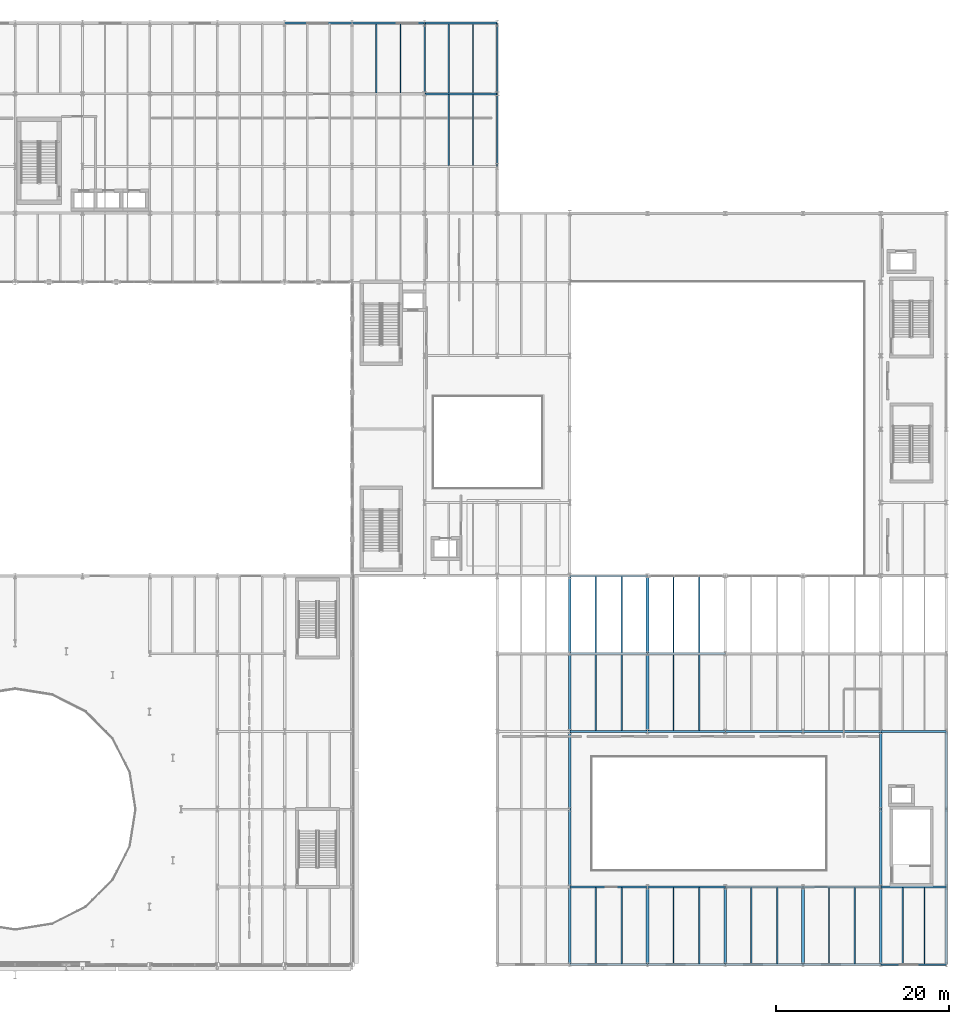
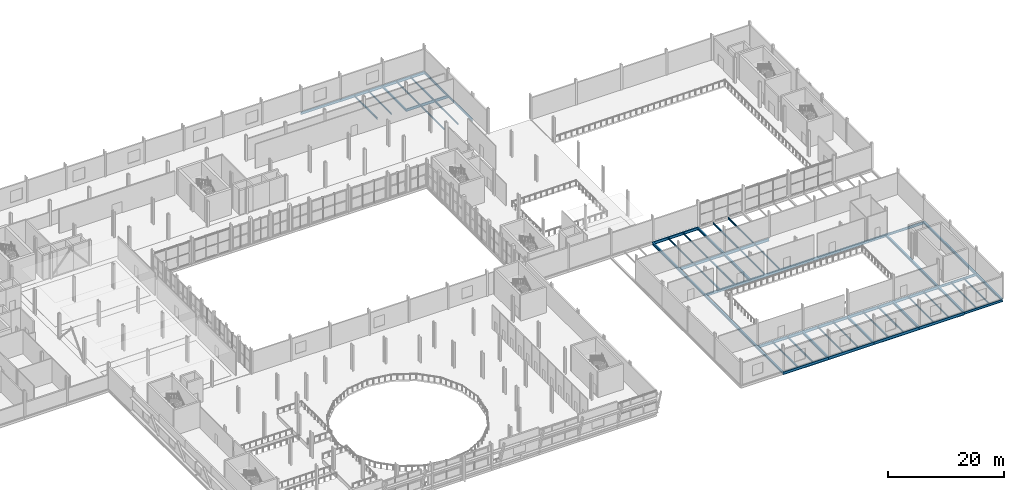
# One storey, part 34 of 78: 65 beams.
"""IFC4 building model written with IfcOpenShell, lengths in metres."""

from ifc_helpers import new_model, si_unit, direction, frame, origin, origin_2d, place, context, subcontext, project, spatial, i_section, extrude, material, material_profile, profile_set, type_object, element, save


model = new_model("IFC4")

# Units and contexts
model_context = context("Model", 3, precision=1e-05, world=origin(), true_north=direction((0.0, 1.0)))
body_context = subcontext(model_context, "Body", "Model", "MODEL_VIEW")
ifc_project = project(units=[si_unit("LENGTHUNIT", "METRE"), si_unit("AREAUNIT", "SQUARE_METRE"), si_unit("VOLUMEUNIT", "CUBIC_METRE"), si_unit("PLANEANGLEUNIT", "RADIAN"), si_unit("MASSUNIT", "GRAM", prefix="KILO")], contexts=[model_context])

# Site, building, storey
site_placement = place(None, origin())
site = spatial("IfcSite", under=ifc_project, at=site_placement, CompositionType="ELEMENT")
building_placement = place(site_placement, origin())
building = spatial("IfcBuilding", under=site, at=building_placement, Name="Sefraquen Railside Congress Hotel", CompositionType="ELEMENT")
storey_placement = place(building_placement, frame((0.0, 0.0, 6.0)))
storey = spatial("IfcBuildingStorey", under=building, at=storey_placement, Name="L01", CompositionType="ELEMENT", Elevation=6.0)

# Beams
ifc_material = material(Name="Steel S355JR", Category="steel")
ifc_material_profile_1 = material_profile(ifc_material, i_section(OverallWidth=0.18994140625, OverallDepth=0.449951171875, WebThickness=0.009521484375, FlangeThickness=0.0146484375, FilletRadius=0.02099609375, at=origin_2d()), Name="IPE 450")
ifc_profile_set_1 = profile_set([ifc_material_profile_1], Name="Steel S355JR")
beam_type_1 = type_object("IfcBeamType", Name="TB-BM-450", PredefinedType="BEAM", material=ifc_profile_set_1)
beam_1_placement = place(storey_placement, frame((111.60009765625, 109.800048828125, -0.52490234375), z_axis=(0.0, 1.0, 0.0), x_axis=(-1.0, 0.0, 0.0)))
element("IfcBeam", 1, at=beam_1_placement, inside=storey, type_object=beam_type_1, Name="Floor beam BM-L01-0624", PredefinedType="BEAM", context=body_context, shape_type="SweptSolid", body=[
    extrude(i_section(OverallWidth=0.18994140625, OverallDepth=0.449951171875, WebThickness=0.009521484375, FlangeThickness=0.0146484375, FilletRadius=0.02099609375, at=origin_2d()), origin(), (0.0, 0.0, 1.0), 8.199951171875),
])
beam_2_placement = place(storey_placement, frame((120.0, 101.39990234375, -0.52490234375), z_axis=(0.0, 1.0, 0.0), x_axis=(-1.0, 0.0, 0.0)))
element("IfcBeam", 2, at=beam_2_placement, inside=storey, type_object=beam_type_1, Name="Floor beam BM-L01-0634", PredefinedType="BEAM", context=body_context, shape_type="SweptSolid", body=[
    extrude(i_section(OverallWidth=0.18994140625, OverallDepth=0.449951171875, WebThickness=0.009521484375, FlangeThickness=0.0146484375, FilletRadius=0.02099609375, at=origin_2d()), origin(), (0.0, 0.0, 1.0), 8.400146484375),
])
beam_3_placement = place(storey_placement, frame((120.0, 109.800048828125, -0.52490234375), z_axis=(0.0, 1.0, 0.0), x_axis=(-1.0, 0.0, 0.0)))
element("IfcBeam", 3, at=beam_3_placement, inside=storey, type_object=beam_type_1, Name="Floor beam BM-L01-0635", PredefinedType="BEAM", context=body_context, shape_type="SweptSolid", body=[
    extrude(i_section(OverallWidth=0.18994140625, OverallDepth=0.449951171875, WebThickness=0.009521484375, FlangeThickness=0.0146484375, FilletRadius=0.02099609375, at=origin_2d()), origin(), (0.0, 0.0, 1.0), 8.199951171875),
])
ifc_material_profile_2 = material_profile(ifc_material, i_section(OverallWidth=0.199951171875, OverallDepth=0.5, WebThickness=0.01025390625, FlangeThickness=0.01611328125, FilletRadius=0.02099609375, at=origin_2d()), Name="IPE 500")
ifc_profile_set_2 = profile_set([ifc_material_profile_2], Name="Steel S355JR")
beam_type_2 = type_object("IfcBeamType", Name="TB-BM-500", PredefinedType="BEAM", material=ifc_profile_set_2)
for number, where, z_axis, x_axis, name in (
    (4, (164.39990234375, 9.0, -0.550048828125), (1.0, 0.0, 0.0), (0.0, 1.0, 0.0), "Primary girder BM-L01-0354"),
    (5, (164.39990234375, 18.0, -0.550048828125), (1.0, 0.0, 0.0), (0.0, 1.0, 0.0), "Primary girder BM-L01-0364"),
    (6, (164.39990234375, 36.0, -0.550048828125), (1.0, 0.0, 0.0), (0.0, 1.0, 0.0), "Primary girder BM-L01-0381"),
):
    element("IfcBeam", number, at=place(storey_placement, frame(where, z_axis=z_axis, x_axis=x_axis)), inside=storey, type_object=beam_type_2, Name=name, PredefinedType="BEAM", context=body_context, shape_type="SweptSolid", body=[
        extrude(i_section(OverallWidth=0.199951171875, OverallDepth=0.5, WebThickness=0.01025390625, FlangeThickness=0.01611328125, FilletRadius=0.02099609375, at=origin_2d()), origin(), (0.0, 0.0, 1.0), 7.60009765625),
    ])
beam_4_placement = place(storey_placement, frame((95.39990234375, 118.0, -0.550048828125), z_axis=(1.0, 0.0, 0.0), x_axis=(0.0, 1.0, 0.0)))
element("IfcBeam", 7, at=beam_4_placement, inside=storey, type_object=beam_type_2, Name="Primary girder BM-L01-0504", PredefinedType="BEAM", context=body_context, shape_type="SweptSolid", body=[
    extrude(i_section(OverallWidth=0.199951171875, OverallDepth=0.5, WebThickness=0.01025390625, FlangeThickness=0.01611328125, FilletRadius=0.02099609375, at=origin_2d()), origin(), (0.0, 0.0, 1.0), 7.800048828125),
])
ifc_material_profile_3 = material_profile(ifc_material, i_section(OverallWidth=0.300048828125, OverallDepth=0.489990234375, WebThickness=0.011962890625, FlangeThickness=0.02294921875, FilletRadius=0.027099609375, at=origin_2d()), Name="HEA 500")
ifc_profile_set_3 = profile_set([ifc_material_profile_3], Name="Steel S355JR")
beam_type_3 = type_object("IfcBeamType", Name="TB-GIR-500", PredefinedType="T_BEAM", material=ifc_profile_set_3)
for number, where, z_axis, x_axis, name in (
    (8, (128.39990234375, 9.0, -0.544921875), (0.0, 1.0, 0.0), (-1.0, 0.0, 0.0), "Floor beam BM-L01-0636"),
    (9, (128.39990234375, 18.0, -0.544921875), (0.0, 1.0, 0.0), (-1.0, 0.0, 0.0), "Floor beam BM-L01-0637"),
    (10, (128.39990234375, 27.0, -0.544921875), (0.0, 1.0, 0.0), (-1.0, 0.0, 0.0), "Floor beam BM-L01-0638"),
    (11, (128.39990234375, 36.0, -0.544921875), (0.0, 1.0, 0.0), (-1.0, 0.0, 0.0), "Floor beam BM-L01-0639"),
    (12, (128.39990234375, 45.0, -0.544921875), (0.0, 1.0, 0.0), (-1.0, 0.0, 0.0), "Floor beam BM-L01-0640"),
    (13, (137.39990234375, 9.0, -0.544921875), (0.0, 1.0, 0.0), (-1.0, 0.0, 0.0), "Floor beam BM-L01-0646"),
    (14, (137.39990234375, 36.0, -0.544921875), (0.0, 1.0, 0.0), (-1.0, 0.0, 0.0), "Floor beam BM-L01-0647"),
    (15, (137.39990234375, 45.0, -0.544921875), (0.0, 1.0, 0.0), (-1.0, 0.0, 0.0), "Floor beam BM-L01-0648"),
    (16, (146.39990234375, 9.0, -0.544921875), (0.0, 1.0, 0.0), (-1.0, 0.0, 0.0), "Floor beam BM-L01-0649"),
    (17, (155.39990234375, 9.0, -0.544921875), (0.0, 1.0, 0.0), (-1.0, 0.0, 0.0), "Floor beam BM-L01-0652"),
    (18, (164.39990234375, 9.0, -0.544921875), (0.0, 1.0, 0.0), (-1.0, 0.0, 0.0), "Floor beam BM-L01-0655"),
    (19, (164.39990234375, 18.0, -0.544921875), (0.0, 1.0, 0.0), (-1.0, 0.0, 0.0), "Floor beam BM-L01-0656"),
    (20, (164.39990234375, 27.0, -0.544921875), (0.0, 1.0, 0.0), (-1.0, 0.0, 0.0), "Floor beam BM-L01-0657"),
    (21, (172.0, 9.0, -0.544921875), (0.0, 1.0, 0.0), (-1.0, 0.0, 0.0), "Floor beam BM-L01-0665"),
    (22, (172.0, 18.0, -0.544921875), (0.0, 1.0, 0.0), (-1.0, 0.0, 0.0), "Floor beam BM-L01-0666"),
    (23, (172.0, 27.0, -0.544921875), (0.0, 1.0, 0.0), (-1.0, 0.0, 0.0), "Floor beam BM-L01-0667"),
):
    element("IfcBeam", number, at=place(storey_placement, frame(where, z_axis=z_axis, x_axis=x_axis)), inside=storey, type_object=beam_type_3, Name=name, PredefinedType="T_BEAM", context=body_context, shape_type="SweptSolid", body=[
        extrude(i_section(OverallWidth=0.300048828125, OverallDepth=0.489990234375, WebThickness=0.011962890625, FlangeThickness=0.02294921875, FilletRadius=0.027099609375, at=origin_2d()), origin(), (0.0, 0.0, 1.0), 9.0),
    ])
ifc_material_profile_4 = material_profile(ifc_material, i_section(OverallWidth=0.2099609375, OverallDepth=0.550048828125, WebThickness=0.010986328125, FlangeThickness=0.01708984375, FilletRadius=0.02392578125, at=origin_2d()), Name="IPE 550")
ifc_profile_set_4 = profile_set([ifc_material_profile_4], Name="Steel S355JR")
beam_type_4 = type_object("IfcBeamType", Name="TB-GIR-550", PredefinedType="T_BEAM", material=ifc_profile_set_4)
beam_5_placement = place(storey_placement, frame((111.60009765625, 109.800048828125, -0.574951171875), z_axis=(1.0, 0.0, 0.0), x_axis=(0.0, 1.0, 0.0)))
element("IfcBeam", 24, at=beam_5_placement, inside=storey, type_object=beam_type_4, Name="Primary girder BM-L01-0494", PredefinedType="T_BEAM", context=body_context, shape_type="SweptSolid", body=[
    extrude(i_section(OverallWidth=0.2099609375, OverallDepth=0.550048828125, WebThickness=0.010986328125, FlangeThickness=0.01708984375, FilletRadius=0.02392578125, at=origin_2d()), origin(), (0.0, 0.0, 1.0), 8.39990234375),
])
beam_6_placement = place(storey_placement, frame((103.199951171875, 118.0, -0.574951171875), z_axis=(1.0, 0.0, 0.0), x_axis=(0.0, 1.0, 0.0)))
element("IfcBeam", 25, at=beam_6_placement, inside=storey, type_object=beam_type_4, Name="Primary girder BM-L01-0505", PredefinedType="T_BEAM", context=body_context, shape_type="SweptSolid", body=[
    extrude(i_section(OverallWidth=0.2099609375, OverallDepth=0.550048828125, WebThickness=0.010986328125, FlangeThickness=0.01708984375, FilletRadius=0.02392578125, at=origin_2d()), origin(), (0.0, 0.0, 1.0), 8.400146484375),
])
beam_7_placement = place(storey_placement, frame((111.60009765625, 118.0, -0.574951171875), z_axis=(1.0, 0.0, 0.0), x_axis=(0.0, 1.0, 0.0)))
element("IfcBeam", 26, at=beam_7_placement, inside=storey, type_object=beam_type_4, Name="Primary girder BM-L01-0506", PredefinedType="T_BEAM", context=body_context, shape_type="SweptSolid", body=[
    extrude(i_section(OverallWidth=0.2099609375, OverallDepth=0.550048828125, WebThickness=0.010986328125, FlangeThickness=0.01708984375, FilletRadius=0.02392578125, at=origin_2d()), origin(), (0.0, 0.0, 1.0), 8.39990234375),
])
ifc_material_profile_5 = material_profile(ifc_material, i_section(OverallWidth=0.219970703125, OverallDepth=0.60009765625, WebThickness=0.011962890625, FlangeThickness=0.01904296875, FilletRadius=0.02392578125, at=origin_2d()), Name="IPE 600")
ifc_profile_set_5 = profile_set([ifc_material_profile_5], Name="Steel S355JR")
beam_type_5 = type_object("IfcBeamType", Name="TB-GIR-600", PredefinedType="T_BEAM", material=ifc_profile_set_5)
for number, where, z_axis, x_axis, name in (
    (27, (128.39990234375, 9.0, -0.60009765625), (1.0, 0.0, 0.0), (0.0, 1.0, 0.0), "Primary girder BM-L01-0350"),
    (28, (137.39990234375, 9.0, -0.60009765625), (1.0, 0.0, 0.0), (0.0, 1.0, 0.0), "Primary girder BM-L01-0351"),
    (29, (146.39990234375, 9.0, -0.60009765625), (1.0, 0.0, 0.0), (0.0, 1.0, 0.0), "Primary girder BM-L01-0352"),
    (30, (155.39990234375, 9.0, -0.60009765625), (1.0, 0.0, 0.0), (0.0, 1.0, 0.0), "Primary girder BM-L01-0353"),
    (31, (128.39990234375, 18.0, -0.60009765625), (1.0, 0.0, 0.0), (0.0, 1.0, 0.0), "Primary girder BM-L01-0360"),
    (32, (137.39990234375, 18.0, -0.60009765625), (1.0, 0.0, 0.0), (0.0, 1.0, 0.0), "Primary girder BM-L01-0361"),
    (33, (146.39990234375, 18.0, -0.60009765625), (1.0, 0.0, 0.0), (0.0, 1.0, 0.0), "Primary girder BM-L01-0362"),
    (34, (155.39990234375, 18.0, -0.60009765625), (1.0, 0.0, 0.0), (0.0, 1.0, 0.0), "Primary girder BM-L01-0363"),
    (35, (128.39990234375, 36.0, -0.60009765625), (1.0, 0.0, 0.0), (0.0, 1.0, 0.0), "Primary girder BM-L01-0377"),
    (36, (137.39990234375, 36.0, -0.60009765625), (1.0, 0.0, 0.0), (0.0, 1.0, 0.0), "Primary girder BM-L01-0378"),
    (37, (146.39990234375, 36.0, -0.60009765625), (1.0, 0.0, 0.0), (0.0, 1.0, 0.0), "Primary girder BM-L01-0379"),
    (38, (155.39990234375, 36.0, -0.60009765625), (1.0, 0.0, 0.0), (0.0, 1.0, 0.0), "Primary girder BM-L01-0380"),
    (39, (128.39990234375, 45.0, -0.60009765625), (1.0, 0.0, 0.0), (0.0, 1.0, 0.0), "Primary girder BM-L01-0387"),
    (40, (137.39990234375, 45.0, -0.60009765625), (1.0, 0.0, 0.0), (0.0, 1.0, 0.0), "Primary girder BM-L01-0388"),
    (41, (128.39990234375, 54.0, -0.60009765625), (1.0, 0.0, 0.0), (0.0, 1.0, 0.0), "Primary girder BM-L01-0405"),
):
    element("IfcBeam", number, at=place(storey_placement, frame(where, z_axis=z_axis, x_axis=x_axis)), inside=storey, type_object=beam_type_5, Name=name, PredefinedType="T_BEAM", context=body_context, shape_type="SweptSolid", body=[
        extrude(i_section(OverallWidth=0.219970703125, OverallDepth=0.60009765625, WebThickness=0.011962890625, FlangeThickness=0.01904296875, FilletRadius=0.02392578125, at=origin_2d()), origin(), (0.0, 0.0, 1.0), 9.0),
    ])
ifc_material_profile_6 = material_profile(ifc_material, i_section(OverallWidth=0.159912109375, OverallDepth=0.330078125, WebThickness=0.007568359375, FlangeThickness=0.011474609375, FilletRadius=0.01806640625, at=origin_2d()), Name="IPE 330")
ifc_profile_set_6 = profile_set([ifc_material_profile_6], Name="Steel S355JR")
beam_type_6 = type_object("IfcBeamType", Name="TB-JST-330", PredefinedType="JOIST", material=ifc_profile_set_6)
for number, where, z_axis, x_axis, name in (
    (42, (106.0, 109.885009765625, -0.465087890625), (0.0, 1.0, 0.0), (-1.0, 0.0, 0.0), "Composite floor joist BM-L01-J0360"),
    (43, (108.800048828125, 109.885009765625, -0.465087890625), (0.0, 1.0, 0.0), (-1.0, 0.0, 0.0), "Composite floor joist BM-L01-J0361"),
):
    element("IfcBeam", number, at=place(storey_placement, frame(where, z_axis=z_axis, x_axis=x_axis)), inside=storey, type_object=beam_type_6, Name=name, PredefinedType="JOIST", context=body_context, shape_type="SweptSolid", body=[
        extrude(i_section(OverallWidth=0.159912109375, OverallDepth=0.330078125, WebThickness=0.007568359375, FlangeThickness=0.011474609375, FilletRadius=0.01806640625, at=origin_2d()), origin(), (0.0, 0.0, 1.0), 8.030029296875),
    ])
for number, where, z_axis, x_axis, name in (
    (44, (114.39990234375, 101.485107421875, -0.465087890625), (0.0, 1.0, 0.0), (-1.0, 0.0, 0.0), "Composite floor joist BM-L01-J0370"),
    (45, (117.199951171875, 101.485107421875, -0.465087890625), (0.0, 1.0, 0.0), (-1.0, 0.0, 0.0), "Composite floor joist BM-L01-J0371"),
):
    element("IfcBeam", number, at=place(storey_placement, frame(where, z_axis=z_axis, x_axis=x_axis)), inside=storey, type_object=beam_type_6, Name=name, PredefinedType="JOIST", context=body_context, shape_type="SweptSolid", body=[
        extrude(i_section(OverallWidth=0.159912109375, OverallDepth=0.330078125, WebThickness=0.007568359375, FlangeThickness=0.011474609375, FilletRadius=0.01806640625, at=origin_2d()), origin(), (0.0, 0.0, 1.0), 8.22998046875),
    ])
for number, where, z_axis, x_axis, name in (
    (46, (114.39990234375, 109.885009765625, -0.465087890625), (0.0, 1.0, 0.0), (-1.0, 0.0, 0.0), "Composite floor joist BM-L01-J0372"),
    (47, (117.199951171875, 109.885009765625, -0.465087890625), (0.0, 1.0, 0.0), (-1.0, 0.0, 0.0), "Composite floor joist BM-L01-J0373"),
):
    element("IfcBeam", number, at=place(storey_placement, frame(where, z_axis=z_axis, x_axis=x_axis)), inside=storey, type_object=beam_type_6, Name=name, PredefinedType="JOIST", context=body_context, shape_type="SweptSolid", body=[
        extrude(i_section(OverallWidth=0.159912109375, OverallDepth=0.330078125, WebThickness=0.007568359375, FlangeThickness=0.011474609375, FilletRadius=0.01806640625, at=origin_2d()), origin(), (0.0, 0.0, 1.0), 8.030029296875),
    ])
for number, where, z_axis, x_axis, name in (
    (48, (131.39990234375, 9.090087890625, -0.465087890625), (0.0, 1.0, 0.0), (-1.0, 0.0, 0.0), "Composite floor joist BM-L01-J0390"),
    (49, (134.39990234375, 9.090087890625, -0.465087890625), (0.0, 1.0, 0.0), (-1.0, 0.0, 0.0), "Composite floor joist BM-L01-J0391"),
    (50, (131.39990234375, 36.090087890625, -0.465087890625), (0.0, 1.0, 0.0), (-1.0, 0.0, 0.0), "Composite floor joist BM-L01-J0392"),
    (51, (134.39990234375, 36.090087890625, -0.465087890625), (0.0, 1.0, 0.0), (-1.0, 0.0, 0.0), "Composite floor joist BM-L01-J0393"),
    (52, (131.39990234375, 45.090087890625, -0.465087890625), (0.0, 1.0, 0.0), (-1.0, 0.0, 0.0), "Composite floor joist BM-L01-J0394"),
    (53, (134.39990234375, 45.090087890625, -0.465087890625), (0.0, 1.0, 0.0), (-1.0, 0.0, 0.0), "Composite floor joist BM-L01-J0395"),
    (54, (140.39990234375, 9.090087890625, -0.465087890625), (0.0, 1.0, 0.0), (-1.0, 0.0, 0.0), "Composite floor joist BM-L01-J0396"),
    (55, (143.39990234375, 9.090087890625, -0.465087890625), (0.0, 1.0, 0.0), (-1.0, 0.0, 0.0), "Composite floor joist BM-L01-J0397"),
    (56, (140.39990234375, 36.090087890625, -0.465087890625), (0.0, 1.0, 0.0), (-1.0, 0.0, 0.0), "Composite floor joist BM-L01-J0398"),
    (57, (143.39990234375, 36.090087890625, -0.465087890625), (0.0, 1.0, 0.0), (-1.0, 0.0, 0.0), "Composite floor joist BM-L01-J0399"),
    (58, (140.39990234375, 45.090087890625, -0.465087890625), (0.0, 1.0, 0.0), (-1.0, 0.0, 0.0), "Composite floor joist BM-L01-J0400"),
    (59, (143.39990234375, 45.090087890625, -0.465087890625), (0.0, 1.0, 0.0), (-1.0, 0.0, 0.0), "Composite floor joist BM-L01-J0401"),
    (60, (149.39990234375, 9.090087890625, -0.465087890625), (0.0, 1.0, 0.0), (-1.0, 0.0, 0.0), "Composite floor joist BM-L01-J0402"),
    (61, (152.39990234375, 9.090087890625, -0.465087890625), (0.0, 1.0, 0.0), (-1.0, 0.0, 0.0), "Composite floor joist BM-L01-J0403"),
    (62, (158.39990234375, 9.090087890625, -0.465087890625), (0.0, 1.0, 0.0), (-1.0, 0.0, 0.0), "Composite floor joist BM-L01-J0408"),
    (63, (161.39990234375, 9.090087890625, -0.465087890625), (0.0, 1.0, 0.0), (-1.0, 0.0, 0.0), "Composite floor joist BM-L01-J0409"),
):
    element("IfcBeam", number, at=place(storey_placement, frame(where, z_axis=z_axis, x_axis=x_axis)), inside=storey, type_object=beam_type_6, Name=name, PredefinedType="JOIST", context=body_context, shape_type="SweptSolid", body=[
        extrude(i_section(OverallWidth=0.159912109375, OverallDepth=0.330078125, WebThickness=0.007568359375, FlangeThickness=0.011474609375, FilletRadius=0.01806640625, at=origin_2d()), origin(), (0.0, 0.0, 1.0), 8.81982421875),
    ])
for number, where, z_axis, x_axis, name in (
    (64, (166.933349609375, 9.080078125, -0.465087890625), (0.0, 1.0, 0.0), (-1.0, 0.0, 0.0), "Composite floor joist BM-L01-J0414"),
    (65, (169.466796875, 9.080078125, -0.465087890625), (0.0, 1.0, 0.0), (-1.0, 0.0, 0.0), "Composite floor joist BM-L01-J0415"),
):
    element("IfcBeam", number, at=place(storey_placement, frame(where, z_axis=z_axis, x_axis=x_axis)), inside=storey, type_object=beam_type_6, Name=name, PredefinedType="JOIST", context=body_context, shape_type="SweptSolid", body=[
        extrude(i_section(OverallWidth=0.159912109375, OverallDepth=0.330078125, WebThickness=0.007568359375, FlangeThickness=0.011474609375, FilletRadius=0.01806640625, at=origin_2d()), origin(), (0.0, 0.0, 1.0), 8.83984375),
    ])

save(model, "model.ifc")
